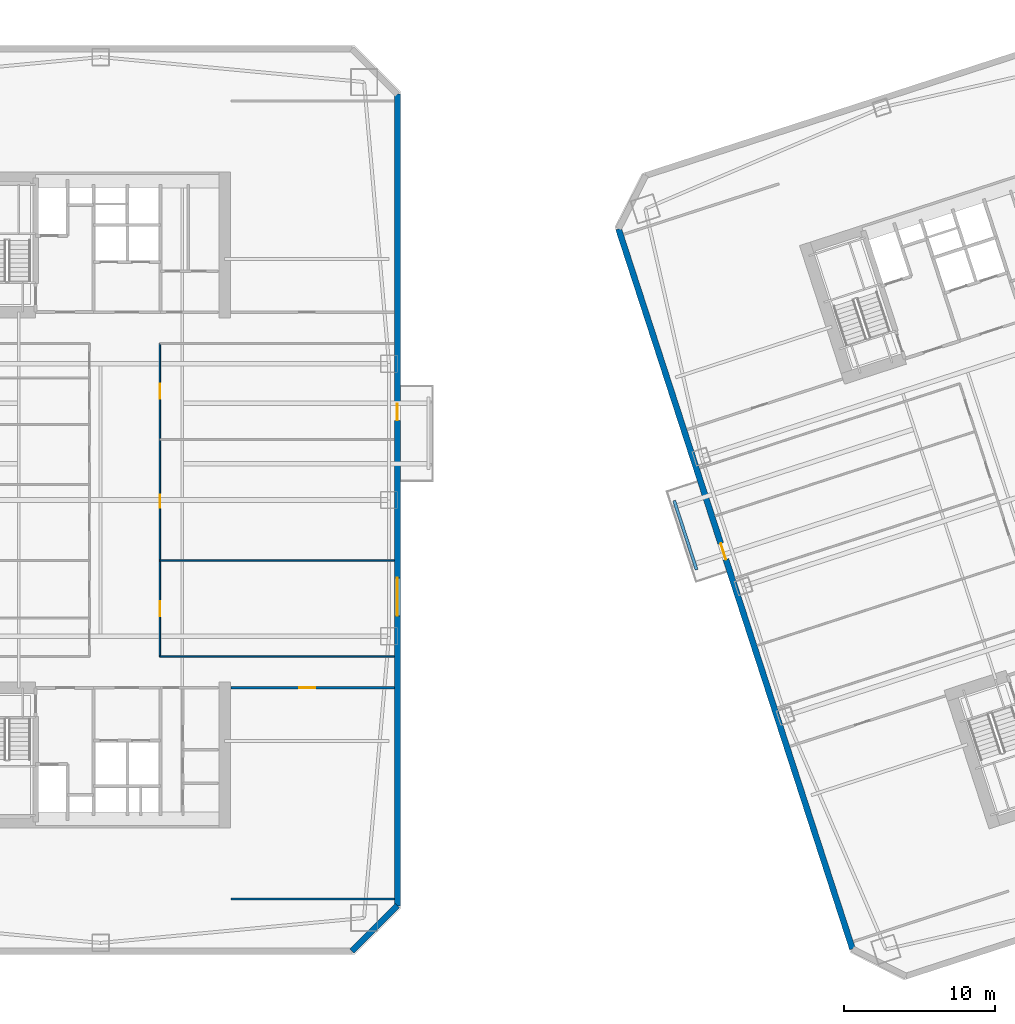
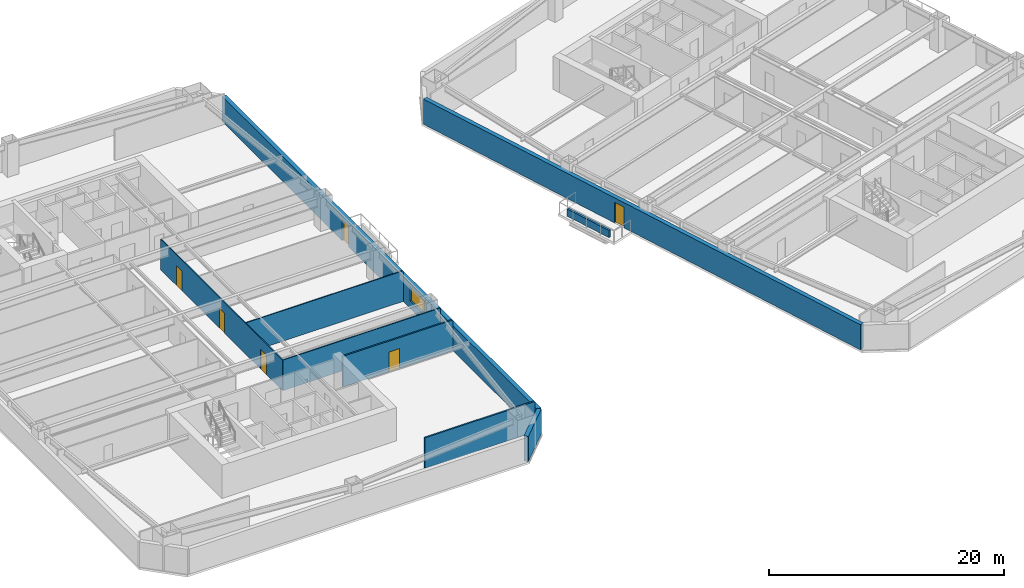
# One storey, part 5 of 15: 9 walls, 6 doors, 1 window, 7 openings.
"""IFC4 building model written with IfcOpenShell, lengths in metres."""

from ifc_helpers import new_model, si_unit, direction, frame, frame_2d, origin, place, context, subcontext, project, spatial, rectangle, extrude, material, layer, layer_set, type_object, element, fill, save


model = new_model("IFC4")

# Units and contexts
model_context = context("Model", 3, precision=1e-05, world=origin(), true_north=direction((0.0, 1.0)))
body_context = subcontext(model_context, "Body", "Model", "MODEL_VIEW")
ifc_project = project(units=[si_unit("LENGTHUNIT", "METRE"), si_unit("AREAUNIT", "SQUARE_METRE"), si_unit("VOLUMEUNIT", "CUBIC_METRE"), si_unit("PLANEANGLEUNIT", "RADIAN"), si_unit("MASSUNIT", "GRAM", prefix="KILO")], contexts=[model_context])

# Site, building, storey
site_placement = place(None, origin())
site = spatial("IfcSite", under=ifc_project, at=site_placement, CompositionType="ELEMENT")
building_placement = place(site_placement, origin())
building = spatial("IfcBuilding", under=site, at=building_placement, Name="Qiaolan Cultural Towers", CompositionType="ELEMENT")
storey_placement = place(building_placement, frame((0.0, 0.0, 50.60009765625)))
storey = spatial("IfcBuildingStorey", under=building, at=storey_placement, Name="L11", CompositionType="ELEMENT", Elevation=50.60009765625)

# Wall, openings, door, window
ifc_material_1 = material(Name="Precast Concrete C50 Honed Stone Pier", Category="masonry")
ifc_layer_1 = layer(ifc_material_1, 0.39990234375)
ifc_layer_set_1 = layer_set([ifc_layer_1], Name="Precast Concrete C50 Honed Stone Pier")
wall_type_1 = type_object("IfcWallType", Name="WL-EXT-PIER-400", PredefinedType="SOLIDWALL", material=ifc_layer_set_1)
wall_1_placement = place(storey_placement, frame((49.60009765625, 60.800048828125, 0.0), z_axis=(0.0, 0.0, 1.0), x_axis=(0.0, -1.0, 0.0)))
wall_1 = element("IfcWall", 1, at=wall_1_placement, inside=storey, type_object=wall_type_1, Name="L11 West Tower Precast Pier Facade Wall F5", PredefinedType="SOLIDWALL", context=body_context, shape_type="SweptSolid", body=[
    extrude(rectangle(XDim=53.60009765625, YDim=0.39990234375, at=frame_2d((26.800048828125, 0.0))), origin(), (0.0, 0.0, 1.0), 2.60986328125),
])
opening_1_placement = place(wall_1_placement, frame((31.949951171875, 0.0, 0.75)))
opening_1 = element("IfcOpeningElement", 2, at=opening_1_placement, cuts=wall_1, Name="Opening W-01", PredefinedType="OPENING", context=body_context, shape_type="SweptSolid", body=[
    extrude(rectangle(XDim=2.5, YDim=1.4599609375, at=frame_2d((1.25, 0.72998046875))), frame((0.0, 0.2099609375, 0.0), z_axis=(0.0, -1.0, 0.0), x_axis=(1.0, 0.0, 0.0)), (0.0, 0.0, 1.0), 0.419921875),
])
opening_2_placement = place(wall_1_placement, frame((20.449951171875, 0.0, 0.0)))
opening_2 = element("IfcOpeningElement", 3, at=opening_2_placement, cuts=wall_1, Name="Opening BD-01", PredefinedType="OPENING", context=body_context, shape_type="SweptSolid", body=[
    extrude(rectangle(XDim=1.10009765625, YDim=2.14990234375, at=frame_2d((0.550048828125, 1.074951171875))), frame((0.0, 0.2099609375, 0.0), z_axis=(0.0, -1.0, 0.0), x_axis=(1.0, 0.0, 0.0)), (0.0, 0.0, 1.0), 0.419921875),
])
ifc_material_2 = material(Name="Thermally Broken Aluminium Glazed Terrace Door", Category="aluminium")
door_type_1 = type_object("IfcDoorType", Name="DR-BAL-1100", OperationType="NOTDEFINED", PredefinedType="DOOR", material=ifc_material_2)
door_1_placement = place(opening_2_placement, origin())
door_1 = element("IfcDoor", 4, at=door_1_placement, inside=storey, type_object=door_type_1, Name="L11 T1 East Tree Balcony Door", OperationType="SINGLE_SWING_RIGHT", OverallHeight=2.14990234375, OverallWidth=1.10009765625, PredefinedType="DOOR", context=body_context, shape_type="SweptSolid", body=[
    extrude(rectangle(XDim=1.10009765625, YDim=2.14990234375, at=frame_2d((0.550048828125, 1.074951171875))), frame((0.0, 0.02490234375, 0.0), z_axis=(0.0, -1.0, 0.0), x_axis=(1.0, 0.0, 0.0)), (0.0, 0.0, 1.0), 0.050048828125),
])
fill(opening_2, door_1)
ifc_material_3 = material(Name="Thermally Broken Aluminium Triple Low-E Glazing", Category="aluminium")
window_type = type_object("IfcWindowType", Name="WN-CHIC-2500", PartitioningType="SINGLE_PANEL", PredefinedType="WINDOW", material=ifc_material_3)
window_placement = place(opening_1_placement, origin())
window = element("IfcWindow", 5, at=window_placement, inside=storey, type_object=window_type, Name="L11 T1 E Chicago Bay Window 1", OverallHeight=1.4599609375, OverallWidth=2.5, PartitioningType="TRIPLE_PANEL_VERTICAL", PredefinedType="WINDOW", context=body_context, shape_type="SweptSolid", body=[
    extrude(rectangle(XDim=2.5, YDim=1.4599609375, at=frame_2d((1.25, 0.72998046875))), frame((0.0, 0.030029296875, 0.0), z_axis=(0.0, -1.0, 0.0), x_axis=(1.0, 0.0, 0.0)), (0.0, 0.0, 1.0), 0.06005859375),
])
fill(opening_1, window)

# Wall
wall_2_placement = place(storey_placement, frame((49.60009765625, 7.199951171875, 0.0), z_axis=(0.0, 0.0, 1.0), x_axis=(-0.707106781187, -0.707106781187, 0.0)))
element("IfcWall", 6, at=wall_2_placement, inside=storey, type_object=wall_type_1, Name="L11 West Tower Precast Pier Facade Wall F6", PredefinedType="SOLIDWALL", context=body_context, shape_type="SweptSolid", body=[
    extrude(rectangle(XDim=4.24267578125, YDim=0.39990234375, at=frame_2d((2.121337890625, 0.0))), origin(), (0.0, 0.0, 1.0), 2.60986328125),
])

# Wall, opening, door
wall_3_placement = place(storey_placement, frame((79.6552734375, 4.352294921875, 0.0), z_axis=(0.0, 0.0, 1.0), x_axis=(-0.309014526607, 0.951057318118, 0.0)))
wall_3 = element("IfcWall", 7, at=wall_3_placement, inside=storey, type_object=wall_type_1, Name="L11 East Tower Precast Pier Facade Wall F1", PredefinedType="SOLIDWALL", context=body_context, shape_type="SweptSolid", body=[
    extrude(rectangle(XDim=49.999755859375, YDim=0.39990234375, at=frame_2d((25.0, 0.0))), origin(), (0.0, 0.0, 1.0), 2.60986328125),
])
opening_3_placement = place(wall_3_placement, frame((27.050048828125, 0.0, 0.0)))
opening_3 = element("IfcOpeningElement", 8, at=opening_3_placement, cuts=wall_3, Name="Opening BD-01", PredefinedType="OPENING", context=body_context, shape_type="SweptSolid", body=[
    extrude(rectangle(XDim=1.10009765625, YDim=2.14990234375, at=frame_2d((0.550048828125, 1.074951171875))), frame((0.0, 0.2099609375, 0.0), z_axis=(0.0, -1.0, 0.0), x_axis=(1.0, 0.0, 0.0)), (0.0, 0.0, 1.0), 0.419921875),
])
door_2_placement = place(opening_3_placement, origin())
door_2 = element("IfcDoor", 9, at=door_2_placement, inside=storey, type_object=door_type_1, Name="L11 T2 West Tree Balcony Door", OperationType="SINGLE_SWING_LEFT", OverallHeight=2.14990234375, OverallWidth=1.10009765625, PredefinedType="DOOR", context=body_context, shape_type="SweptSolid", body=[
    extrude(rectangle(XDim=1.10009765625, YDim=2.14990234375, at=frame_2d((0.550048828125, 1.074951171875))), frame((0.0, 0.02490234375, 0.0), z_axis=(0.0, -1.0, 0.0), x_axis=(1.0, 0.0, 0.0)), (0.0, 0.0, 1.0), 0.050048828125),
])
fill(opening_3, door_2)

# Wall
ifc_material_4 = material(Name="Acoustic Double-Glazed Partition Frame", Category="glass")
ifc_layer_2 = layer(ifc_material_4, 0.10009765625)
ifc_layer_set_2 = layer_set([ifc_layer_2], Name="Acoustic Double-Glazed Partition Frame")
wall_type_2 = type_object("IfcWallType", Name="WL-GLAZED-100", PredefinedType="MOVABLE", material=ifc_layer_set_2)
wall_4_placement = place(storey_placement, frame((33.925048828125, 23.64990234375, 0.0), z_axis=(0.0, 0.0, 1.0), x_axis=(1.0, 0.0, 0.0)))
element("IfcWall", 10, at=wall_4_placement, inside=storey, type_object=wall_type_2, Name="L11 T1 South Corridor Right Wall", PredefinedType="MOVABLE", context=body_context, shape_type="SweptSolid", body=[
    extrude(rectangle(XDim=15.474853515625, YDim=0.10009765625, at=frame_2d((7.7373046875, 0.0))), origin(), (0.0, 0.0, 1.0), 3.1748046875),
])

# Wall, openings, doors
wall_5_placement = place(storey_placement, frame((33.925048828125, 23.64990234375, 0.0), z_axis=(0.0, 0.0, 1.0), x_axis=(0.0, 1.0, 0.0)))
wall_5 = element("IfcWall", 11, at=wall_5_placement, inside=storey, type_object=wall_type_2, Name="L11 T1 East Spine Wall", PredefinedType="MOVABLE", context=body_context, shape_type="SweptSolid", body=[
    extrude(rectangle(XDim=20.7001953125, YDim=0.10009765625, at=frame_2d((10.35009765625, 0.0))), origin(), (0.0, 0.0, 1.0), 3.1748046875),
])
opening_4_placement = place(wall_5_placement, frame((2.675048828125, 0.0, 0.0)))
opening_4 = element("IfcOpeningElement", 12, at=opening_4_placement, cuts=wall_5, Name="Opening ID-04", PredefinedType="OPENING", context=body_context, shape_type="SweptSolid", body=[
    extrude(rectangle(XDim=1.0, YDim=2.050048828125, at=frame_2d((0.5, 1.02490234375))), frame((0.0, 0.06005859375, 0.0), z_axis=(0.0, -1.0, 0.0), x_axis=(1.0, 0.0, 0.0)), (0.0, 0.0, 1.0), 0.1201171875),
])
opening_5_placement = place(wall_5_placement, frame((9.85009765625, 0.0, 0.0)))
opening_5 = element("IfcOpeningElement", 13, at=opening_5_placement, cuts=wall_5, Name="Opening ID-09", PredefinedType="OPENING", context=body_context, shape_type="SweptSolid", body=[
    extrude(rectangle(XDim=0.85009765625, YDim=2.050048828125, at=frame_2d((0.425048828125, 1.02490234375))), frame((0.0, 0.06005859375, 0.0), z_axis=(0.0, -1.0, 0.0), x_axis=(1.0, 0.0, 0.0)), (0.0, 0.0, 1.0), 0.1201171875),
])
opening_6_placement = place(wall_5_placement, frame((17.02490234375, 0.0, 0.0)))
opening_6 = element("IfcOpeningElement", 14, at=opening_6_placement, cuts=wall_5, Name="Opening ID-04", PredefinedType="OPENING", context=body_context, shape_type="SweptSolid", body=[
    extrude(rectangle(XDim=1.0, YDim=2.050048828125, at=frame_2d((0.5, 1.02490234375))), frame((0.0, 0.06005859375, 0.0), z_axis=(0.0, -1.0, 0.0), x_axis=(1.0, 0.0, 0.0)), (0.0, 0.0, 1.0), 0.1201171875),
])
ifc_material_5 = material(Name="Oak Veneer Acoustic Office Door", Category="timber")
door_type_2 = type_object("IfcDoorType", Name="DR-INT-1000", OperationType="NOTDEFINED", PredefinedType="DOOR", material=ifc_material_5)
door_3_placement = place(opening_4_placement, origin())
door_3 = element("IfcDoor", 15, at=door_3_placement, inside=storey, type_object=door_type_2, Name="L11 T1 Cultural Bookstore Gallery Door", OperationType="SINGLE_SWING_RIGHT", OverallHeight=2.050048828125, OverallWidth=1.0, PredefinedType="DOOR", context=body_context, shape_type="SweptSolid", body=[
    extrude(rectangle(XDim=1.0, YDim=2.050048828125, at=frame_2d((0.5, 1.02490234375))), frame((0.0, 0.02490234375, 0.0), z_axis=(0.0, -1.0, 0.0), x_axis=(1.0, 0.0, 0.0)), (0.0, 0.0, 1.0), 0.050048828125),
])
fill(opening_4, door_3)
door_4_placement = place(opening_6_placement, origin())
door_4 = element("IfcDoor", 16, at=door_4_placement, inside=storey, type_object=door_type_2, Name="L11 T1 Staff Dining Kitchen Door", OperationType="SINGLE_SWING_RIGHT", OverallHeight=2.050048828125, OverallWidth=1.0, PredefinedType="DOOR", context=body_context, shape_type="SweptSolid", body=[
    extrude(rectangle(XDim=1.0, YDim=2.050048828125, at=frame_2d((0.5, 1.02490234375))), frame((0.0, 0.02490234375, 0.0), z_axis=(0.0, -1.0, 0.0), x_axis=(1.0, 0.0, 0.0)), (0.0, 0.0, 1.0), 0.050048828125),
])
fill(opening_6, door_4)
ifc_material_6 = material(Name="Moisture-Resistant Laminate Utility Door", Category="timber")
door_type_3 = type_object("IfcDoorType", Name="DR-INT-850", OperationType="NOTDEFINED", PredefinedType="DOOR", material=ifc_material_6)
door_5_placement = place(opening_5_placement, origin())
door_5 = element("IfcDoor", 17, at=door_5_placement, inside=storey, type_object=door_type_3, Name="L11 T1 Design Archive Studio Door", OperationType="SINGLE_SWING_LEFT", OverallHeight=2.050048828125, OverallWidth=0.85009765625, PredefinedType="DOOR", context=body_context, shape_type="SweptSolid", body=[
    extrude(rectangle(XDim=0.85009765625, YDim=2.050048828125, at=frame_2d((0.425048828125, 1.02490234375))), frame((0.0, 0.02490234375, 0.0), z_axis=(0.0, -1.0, 0.0), x_axis=(1.0, 0.0, 0.0)), (0.0, 0.0, 1.0), 0.050048828125),
])
fill(opening_5, door_5)

# Walls
wall_6_placement = place(storey_placement, frame((33.925048828125, 30.0, 0.0), z_axis=(0.0, 0.0, 1.0), x_axis=(1.0, 0.0, 0.0)))
element("IfcWall", 18, at=wall_6_placement, inside=storey, type_object=wall_type_2, Name="L11 T1 East Partition 1", PredefinedType="MOVABLE", context=body_context, shape_type="SweptSolid", body=[
    extrude(rectangle(XDim=15.474853515625, YDim=0.10009765625, at=frame_2d((7.7373046875, 0.0))), origin(), (0.0, 0.0, 1.0), 3.1748046875),
])
ifc_material_7 = material(Name="Autoclaved Aerated Concrete Block B06", Category="concrete")
ifc_layer_3 = layer(ifc_material_7, 0.14990234375)
ifc_layer_set_3 = layer_set([ifc_layer_3], Name="Autoclaved Aerated Concrete Block B06")
wall_type_3 = type_object("IfcWallType", Name="WL-PART-150", PredefinedType="PARTITIONING", material=ifc_layer_set_3)
wall_7_placement = place(storey_placement, frame((38.60009765625, 7.64990234375, 0.0), z_axis=(0.0, 0.0, 1.0), x_axis=(1.0, 0.0, 0.0)))
element("IfcWall", 19, at=wall_7_placement, inside=storey, type_object=wall_type_3, Name="L11 T1 Flank Wall FLK-SE", PredefinedType="PARTITIONING", context=body_context, shape_type="SweptSolid", body=[
    extrude(rectangle(XDim=10.7998046875, YDim=0.14990234375, at=frame_2d((5.39990234375, 0.0))), origin(), (0.0, 0.0, 1.0), 3.1748046875),
])

# Wall, opening, door
wall_8_placement = place(storey_placement, frame((38.60009765625, 21.60009765625, 0.0), z_axis=(0.0, 0.0, 1.0), x_axis=(1.0, 0.0, 0.0)))
wall_8 = element("IfcWall", 20, at=wall_8_placement, inside=storey, type_object=wall_type_3, Name="L11 T1 Flank Front FLK-SE", PredefinedType="PARTITIONING", context=body_context, shape_type="SweptSolid", body=[
    extrude(rectangle(XDim=10.7998046875, YDim=0.14990234375, at=frame_2d((5.39990234375, 0.0))), origin(), (0.0, 0.0, 1.0), 3.1748046875),
])
opening_7_placement = place(wall_8_placement, frame((4.535888671875, 0.0, 0.0)))
opening_7 = element("IfcOpeningElement", 21, at=opening_7_placement, cuts=wall_8, Name="Opening ID-07", PredefinedType="OPENING", context=body_context, shape_type="SweptSolid", body=[
    extrude(rectangle(XDim=1.050048828125, YDim=2.050048828125, at=frame_2d((0.52490234375, 1.02490234375))), frame((0.0, 0.0849609375, 0.0), z_axis=(0.0, -1.0, 0.0), x_axis=(1.0, 0.0, 0.0)), (0.0, 0.0, 1.0), 0.169921875),
])
ifc_material_8 = material(Name="Oak Veneer Consultation Door", Category="timber")
door_type_4 = type_object("IfcDoorType", Name="DR-INT-1050", OperationType="NOTDEFINED", PredefinedType="DOOR", material=ifc_material_8)
door_6_placement = place(opening_7_placement, origin())
door_6 = element("IfcDoor", 22, at=door_6_placement, inside=storey, type_object=door_type_4, Name="L11 T1 Corner Studio Door", OperationType="SINGLE_SWING_LEFT", OverallHeight=2.050048828125, OverallWidth=1.050048828125, PredefinedType="DOOR", context=body_context, shape_type="SweptSolid", body=[
    extrude(rectangle(XDim=1.050048828125, YDim=2.050048828125, at=frame_2d((0.52490234375, 1.02490234375))), frame((0.0, 0.02490234375, 0.0), z_axis=(0.0, -1.0, 0.0), x_axis=(1.0, 0.0, 0.0)), (0.0, 0.0, 1.0), 0.050048828125),
])
fill(opening_7, door_6)

# Wall
ifc_material_9 = material(Name="Precast Concrete C45 Tree Planter Upstand", Category="concrete")
ifc_layer_4 = layer(ifc_material_9, 0.199951171875)
ifc_layer_set_4 = layer_set([ifc_layer_4], Name="Precast Concrete C45 Tree Planter Upstand")
wall_type_4 = type_object("IfcWallType", Name="WL-PLANTER-200", PredefinedType="PARAPET", material=ifc_layer_set_4)
wall_9_placement = place(storey_placement, frame((69.3623046875, 29.397216796875, 0.0), z_axis=(0.0, 0.0, 1.0), x_axis=(-0.309032019345, 0.951051634255, 0.0)))
element("IfcWall", 23, at=wall_9_placement, inside=storey, type_object=wall_type_4, Name="L11 T2 Tree Balcony Soil Planter Box W", PredefinedType="PARAPET", context=body_context, shape_type="SweptSolid", body=[
    extrude(rectangle(XDim=4.800048828125, YDim=0.199951171875, at=frame_2d((2.39990234375, 0.0))), origin(), (0.0, 0.0, 1.0), 0.75),
])

save(model, "model.ifc")
